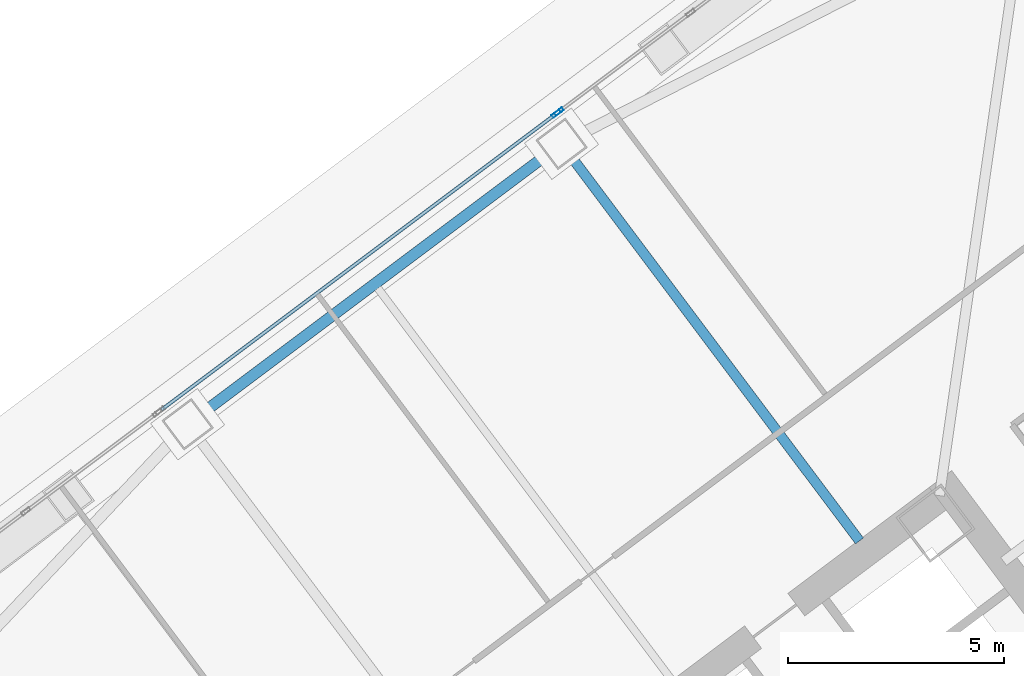
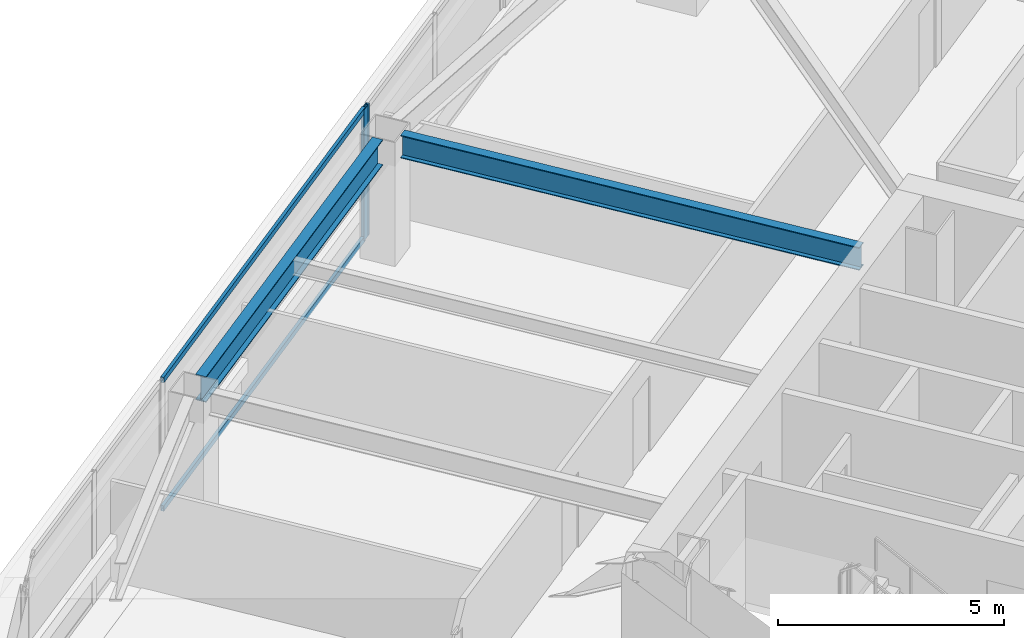
# One storey, part 48 of 67: 4 members, 2 beams, 2 elements without a shape of their own.
"""IFC4 building model written with IfcOpenShell, lengths in metres."""

from ifc_helpers import new_model, si_unit, direction, frame, origin, origin_2d, place, context, subcontext, project, spatial, hollow_rectangle, i_section, extrude, material, material_profile, profile_set, type_object, element, aggregate, save


model = new_model("IFC4")

# Units and contexts
model_context = context("Model", 3, precision=1e-05, world=origin(), true_north=direction((0.0, 1.0)))
body_context = subcontext(model_context, "Body", "Model", "MODEL_VIEW")
ifc_project = project(units=[si_unit("LENGTHUNIT", "METRE"), si_unit("AREAUNIT", "SQUARE_METRE"), si_unit("VOLUMEUNIT", "CUBIC_METRE"), si_unit("PLANEANGLEUNIT", "RADIAN"), si_unit("MASSUNIT", "GRAM", prefix="KILO")], contexts=[model_context])

# Site, building, storey
site_placement = place(None, origin())
site = spatial("IfcSite", under=ifc_project, at=site_placement, CompositionType="ELEMENT")
building_placement = place(site_placement, origin())
building = spatial("IfcBuilding", under=site, at=building_placement, Name="Tashvorn Skyway Center", CompositionType="ELEMENT")
storey_placement = place(building_placement, frame((0.0, 0.0, 67.199951171875)))
storey = spatial("IfcBuildingStorey", under=building, at=storey_placement, Name="L17", CompositionType="ELEMENT", Elevation=67.199951171875)

# Beams
ifc_material_1 = material(Name="Steel ASTM A992 Grade 50", Category="steel")
ifc_material_profile_1 = material_profile(ifc_material_1, i_section(OverallWidth=0.22998046875, OverallDepth=0.616943359375, WebThickness=0.01318359375, FlangeThickness=0.022216796875, at=origin_2d()), Name="W24X94")
ifc_profile_set_1 = profile_set([ifc_material_profile_1], Name="Steel ASTM A992 Grade 50")
beam_type_1 = type_object("IfcBeamType", Name="BM-BEAM-W24X94", PredefinedType="BEAM", material=ifc_profile_set_1)
beam_1_placement = place(storey_placement, frame((107.02197265625, 50.303955078125, 3.04150390625), z_axis=(0.60001414024, -0.799989394625, 0.0), x_axis=(0.799989394625, 0.60001414024, 0.0)))
element("IfcBeam", 1, at=beam_1_placement, inside=storey, type_object=beam_type_1, Name="Tower 2 L17 Primary Floor Girder FC-N1", PredefinedType="BEAM", context=body_context, shape_type="SweptSolid", body=[
    extrude(i_section(OverallWidth=0.22998046875, OverallDepth=0.616943359375, WebThickness=0.01318359375, FlangeThickness=0.022216796875, at=origin_2d()), origin(), (0.0, 0.0, 1.0), 11.050048828125),
])
ifc_material_profile_2 = material_profile(ifc_material_1, i_section(OverallWidth=0.256103515625, OverallDepth=0.693115234375, WebThickness=0.014404296875, FlangeThickness=0.023681640625, at=origin_2d()), Name="W27X114")
ifc_profile_set_2 = profile_set([ifc_material_profile_2], Name="Steel ASTM A992 Grade 50")
beam_type_2 = type_object("IfcBeamType", Name="BM-SPANDREL-W27X114", PredefinedType="SPANDREL", material=ifc_profile_set_2)
beam_2_placement = place(storey_placement, frame((106.43408203125, 50.387939453125, 3.003662109375), z_axis=(-0.800008824351, -0.599988234018, 0.0), x_axis=(0.599988234018, -0.800008824351, 0.0)))
element("IfcBeam", 2, at=beam_2_placement, inside=storey, type_object=beam_type_2, Name="Tower 2 L17 Spandrel Beam 08", PredefinedType="SPANDREL", context=body_context, shape_type="SweptSolid", body=[
    extrude(i_section(OverallWidth=0.256103515625, OverallDepth=0.693115234375, WebThickness=0.014404296875, FlangeThickness=0.023681640625, at=origin_2d()), origin(), (0.0, 0.0, 1.0), 9.9599609375),
])

# Curtain wall, member
ifc_material_2 = material(Name="Thermally broken bronze-anodized aluminium 6063-T6", Category="aluminium")
curtain_wall_type = type_object("IfcCurtainWallType", Name="CW-CW-Z2", PredefinedType="NOTDEFINED", material=ifc_material_2)
curtain_wall_1_placement = place(storey_placement, origin())
curtain_wall_1 = element("IfcCurtainWall", 3, at=curtain_wall_1_placement, inside=storey, type_object=curtain_wall_type, Name="Tower 2 L17 North Unitised Curtain Wall Glazing Group 2", PredefinedType="NOTDEFINED")
ifc_material_profile_3 = material_profile(ifc_material_2, hollow_rectangle(XDim=0.080078125, YDim=0.219970703125, WallThickness=0.0048828125, at=origin_2d()), Name="ALU-MULL-80x220")
ifc_profile_set_3 = profile_set([ifc_material_profile_3], Name="Thermally broken bronze-anodized aluminium 6063-T6")
member_type_1 = type_object("IfcMemberType", Name="CWM-CW-Z2", PredefinedType="MULLION", material=ifc_profile_set_3)
member_1_placement = place(storey_placement, frame((106.64794921875, 51.3359375, 0.0), z_axis=(0.0, 0.0, 1.0), x_axis=(-0.600000000002, 0.799999999998, 0.0)))
member_1 = element("IfcMember", 4, at=member_1_placement, type_object=member_type_1, Name="CW-Z2 mullion 2", PredefinedType="MULLION", context=body_context, shape_type="SweptSolid", body=[
    extrude(hollow_rectangle(XDim=0.080078125, YDim=0.219970703125, WallThickness=0.0048828125, at=origin_2d()), origin(), (0.0, 0.0, 1.0), 3.550048828125),
])

curtain_wall_2_placement = place(storey_placement, origin())
curtain_wall_2 = element("IfcCurtainWall", 5, at=curtain_wall_2_placement, inside=storey, type_object=curtain_wall_type, Name="Tower 2 L17 North Unitised Curtain Wall Glazing Group 3", PredefinedType="NOTDEFINED")
member_2_placement = place(storey_placement, frame((106.7119140625, 51.384033203125, 0.0), z_axis=(0.0, 0.0, 1.0), x_axis=(-0.600000000002, 0.799999999998, 0.0)))
member_2 = element("IfcMember", 6, at=member_2_placement, type_object=member_type_1, Name="CW-Z2 mullion 1", PredefinedType="MULLION", context=body_context, shape_type="SweptSolid", body=[
    extrude(hollow_rectangle(XDim=0.080078125, YDim=0.219970703125, WallThickness=0.0048828125, at=origin_2d()), origin(), (0.0, 0.0, 1.0), 3.550048828125),
])
aggregate(curtain_wall_2, [member_2])

# Member
ifc_material_profile_4 = material_profile(ifc_material_2, hollow_rectangle(XDim=0.080078125, YDim=0.14990234375, WallThickness=0.00439453125, at=origin_2d()), Name="ALU-TRAN-80x150")
ifc_profile_set_4 = profile_set([ifc_material_profile_4], Name="Thermally broken bronze-anodized aluminium 6063-T6")
member_type_2 = type_object("IfcMemberType", Name="CWT-CW-Z2", PredefinedType="USERDEFINED", material=ifc_profile_set_4)
member_3_placement = place(storey_placement, frame((97.528076171875, 44.49609375, 0.0400390625), z_axis=(0.8, 0.6, 0.0), x_axis=(-0.6, 0.8, 0.0)))
member_3 = element("IfcMember", 7, at=member_3_placement, type_object=member_type_2, Name="CW-Z2 transom 1.1", ObjectType="TRANSOM", PredefinedType="USERDEFINED", context=body_context, shape_type="SweptSolid", body=[
    extrude(hollow_rectangle(XDim=0.080078125, YDim=0.14990234375, WallThickness=0.00439453125, at=origin_2d()), origin(), (0.0, 0.0, 1.0), 11.35986328125),
])

member_4_placement = place(storey_placement, frame((97.528076171875, 44.49609375, 3.510009765625), z_axis=(0.8, 0.6, 0.0), x_axis=(-0.6, 0.8, 0.0)))
member_4 = element("IfcMember", 8, at=member_4_placement, type_object=member_type_2, Name="CW-Z2 transom 1.2", ObjectType="TRANSOM", PredefinedType="USERDEFINED", context=body_context, shape_type="SweptSolid", body=[
    extrude(hollow_rectangle(XDim=0.080078125, YDim=0.14990234375, WallThickness=0.00439453125, at=origin_2d()), origin(), (0.0, 0.0, 1.0), 11.35986328125),
])

aggregate(curtain_wall_1, [member_1, member_3, member_4])

save(model, "model.ifc")
